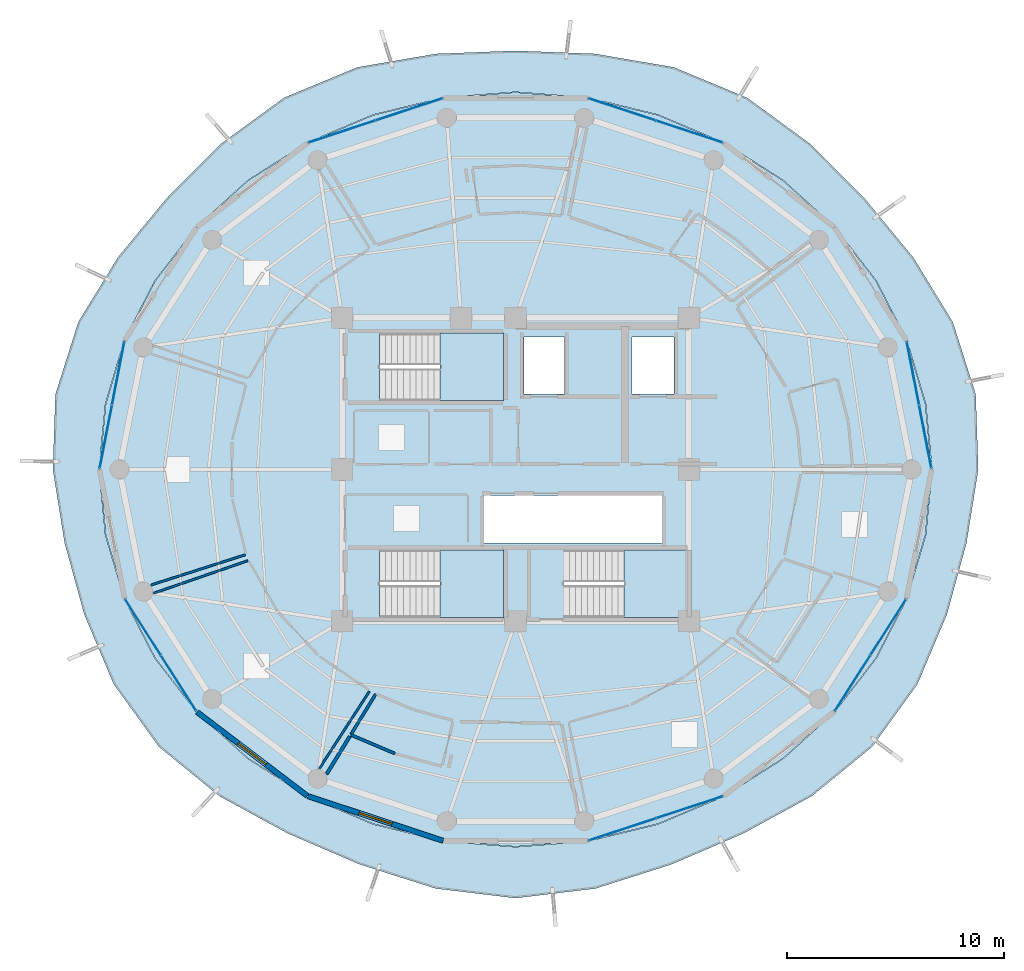
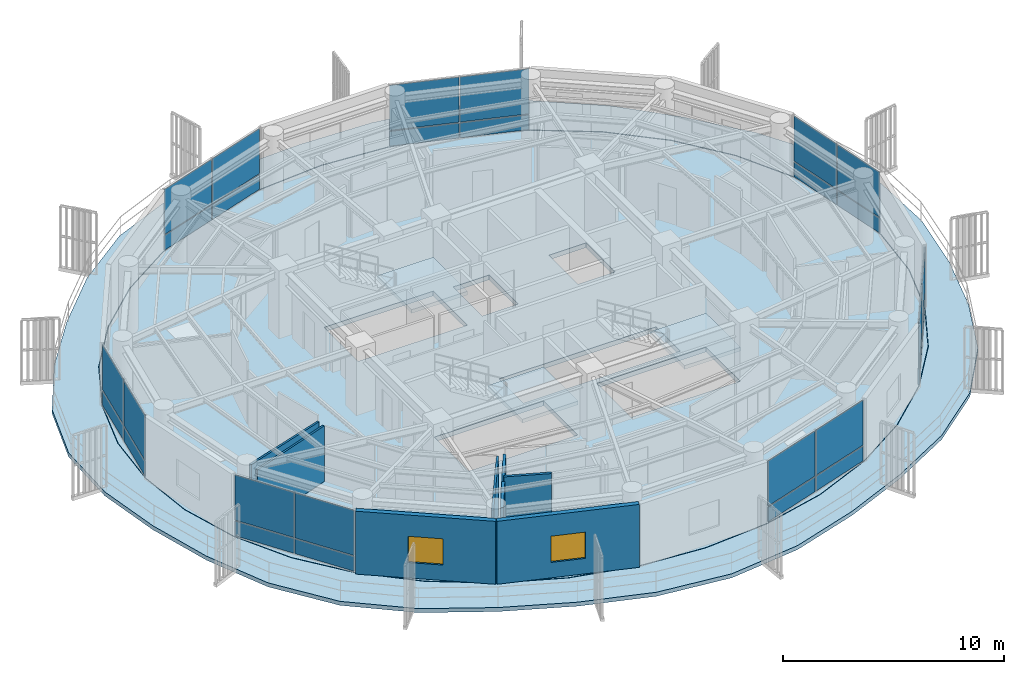
# One storey, part 16 of 24: 28 plates, 8 walls, 5 slabs, 2 windows, 2 openings, 10 elements without a shape of their own.
"""IFC4 building model written with IfcOpenShell, lengths in metres."""

from ifc_helpers import new_model, si_unit, direction, frame, frame_2d, origin, origin_2d, place, context, subcontext, project, spatial, polyline, rectangle, outline, extrude, source, transform, mapped, material, layer, layer_set, type_object, element, fill, aggregate, save


model = new_model("IFC4")

# Units and contexts
model_context = context("Model", 3, precision=1e-05, world=origin(), true_north=direction((0.0, 1.0)))
body_context = subcontext(model_context, "Body", "Model", "MODEL_VIEW")
ifc_project = project(units=[si_unit("LENGTHUNIT", "METRE"), si_unit("AREAUNIT", "SQUARE_METRE"), si_unit("VOLUMEUNIT", "CUBIC_METRE"), si_unit("PLANEANGLEUNIT", "RADIAN"), si_unit("MASSUNIT", "GRAM", prefix="KILO")], contexts=[model_context])

# Site, building, storey
site_placement = place(None, origin())
site = spatial("IfcSite", under=ifc_project, at=site_placement, CompositionType="ELEMENT")
building_placement = place(site_placement, origin())
building = spatial("IfcBuilding", under=site, at=building_placement, Name="Kelanora Arch Commons", CompositionType="ELEMENT")
storey_placement = place(building_placement, frame((0.0, 0.0, 248.699951171875)))
storey = spatial("IfcBuildingStorey", under=building, at=storey_placement, Name="L63", CompositionType="ELEMENT", Elevation=248.699951171875)

# Stair, slab
ifc_material_1 = material(Name="Concrete C40/50", Category="concrete")
stair_type = type_object("IfcStairType", Name="STR-DL-375", PredefinedType="HALF_TURN_STAIR", material=ifc_material_1)
stair_1_placement = place(storey_placement, origin())
stair_1 = element("IfcStair", 1, at=stair_1_placement, inside=storey, type_object=stair_type, Name="L63 ST-T1", PredefinedType="HALF_TURN_STAIR")
ifc_layer_1 = layer(ifc_material_1, 0.199951171875)
ifc_layer_set_1 = layer_set([ifc_layer_1], Name="Concrete C40/50")
slab_type_1 = type_object("IfcSlabType", Name="SLB-STAIR-LND", PredefinedType="LANDING", material=ifc_layer_set_1)
slab_1_placement = place(storey_placement, frame((0.0, 0.0, 1.675048828125)))
slab_1 = element("IfcSlab", 2, at=slab_1_placement, type_object=slab_type_1, Name="ST-T1 landing 1", PredefinedType="LANDING", context=body_context, shape_type="SweptSolid", body=[
    extrude(outline(polyline([(70.52001953125, 61.179931640625), (73.43994140625, 61.179931640625), (73.43994140625, 64.2900390625), (70.52001953125, 64.2900390625), (70.52001953125, 61.179931640625)])), origin(), (0.0, 0.0, 1.0), 0.199951171875),
])
aggregate(stair_1, [slab_1])

stair_2_placement = place(storey_placement, origin())
stair_2 = element("IfcStair", 3, at=stair_2_placement, inside=storey, type_object=stair_type, Name="L63 ST-T2", PredefinedType="HALF_TURN_STAIR")
slab_2_placement = place(storey_placement, frame((0.0, 0.0, 1.675048828125)))
slab_2 = element("IfcSlab", 4, at=slab_2_placement, type_object=slab_type_1, Name="ST-T2 landing 1", PredefinedType="LANDING", context=body_context, shape_type="SweptSolid", body=[
    extrude(outline(polyline([(79.0, 51.179931640625), (81.919921875, 51.179931640625), (81.919921875, 54.2900390625), (79.0, 54.2900390625), (79.0, 51.179931640625)])), origin(), (0.0, 0.0, 1.0), 0.199951171875),
])
aggregate(stair_2, [slab_2])

stair_3_placement = place(storey_placement, origin())
stair_3 = element("IfcStair", 5, at=stair_3_placement, inside=storey, type_object=stair_type, Name="L63 ST-T3", PredefinedType="HALF_TURN_STAIR")
slab_3_placement = place(storey_placement, frame((0.0, 0.0, 1.675048828125)))
slab_3 = element("IfcSlab", 6, at=slab_3_placement, type_object=slab_type_1, Name="ST-T3 landing 1", PredefinedType="LANDING", context=body_context, shape_type="SweptSolid", body=[
    extrude(outline(polyline([(70.52001953125, 51.179931640625), (73.43994140625, 51.179931640625), (73.43994140625, 54.2900390625), (70.52001953125, 54.2900390625), (70.52001953125, 51.179931640625)])), origin(), (0.0, 0.0, 1.0), 0.199951171875),
])
aggregate(stair_3, [slab_3])

# Slabs
ifc_layer_2 = layer(ifc_material_1, 0.260009765625)
ifc_layer_set_2 = layer_set([ifc_layer_2], Name="Concrete C40/50")
slab_type_2 = type_object("IfcSlabType", Name="SLB-TWR-TYP", PredefinedType="FLOOR", material=ifc_layer_set_2)
slab_4_placement = place(storey_placement, frame((0.0, 0.0, -0.260009765625)))
element("IfcSlab", 7, at=slab_4_placement, inside=storey, type_object=slab_type_2, Name="Tower Floor Slab L63", PredefinedType="FLOOR", context=body_context, shape_type="SweptSolid", body=[
    extrude(outline(polyline([(93.199951171875, 58.0), (92.908203125, 61.021484375), (92.0419921875, 63.951171875), (90.627685546875, 66.699951171875), (88.7080078125, 69.1845703125), (86.341552734375, 71.3291015625), (83.60009765625, 73.06884765625), (80.56689453125, 74.3505859375), (77.333984375, 75.1357421875), (74.0, 75.39990234375), (70.666015625, 75.1357421875), (67.43310546875, 74.3505859375), (64.39990234375, 73.06884765625), (61.658447265625, 71.3291015625), (59.2919921875, 69.1845703125), (57.372314453125, 66.699951171875), (55.9580078125, 63.951171875), (55.091796875, 61.021484375), (54.800048828125, 58.0), (55.091796875, 54.978515625), (55.9580078125, 52.048828125), (57.372314453125, 49.300048828125), (59.2919921875, 46.8154296875), (61.658447265625, 44.6708984375), (64.39990234375, 42.93115234375), (67.43310546875, 41.6494140625), (70.666015625, 40.8642578125), (74.0, 40.60009765625), (77.333984375, 40.8642578125), (80.56689453125, 41.6494140625), (83.60009765625, 42.93115234375), (86.341552734375, 44.6708984375), (88.7080078125, 46.8154296875), (90.627685546875, 49.300048828125), (92.0419921875, 52.048828125), (92.908203125, 54.978515625), (93.199951171875, 58.0)]), holes=[polyline([(73.431884765625, 51.18798828125), (67.72802734375, 51.18798828125), (67.72802734375, 54.281982421875), (73.431884765625, 54.281982421875), (73.431884765625, 51.18798828125)]), polyline([(76.2080078125, 51.18798828125), (76.2080078125, 54.281982421875), (81.912109375, 54.281982421875), (81.912109375, 51.18798828125), (76.2080078125, 51.18798828125)]), polyline([(72.550048828125, 54.60009765625), (72.550048828125, 56.800048828125), (80.75, 56.800048828125), (80.75, 54.60009765625), (72.550048828125, 54.60009765625)]), polyline([(73.431884765625, 61.18798828125), (67.72802734375, 61.18798828125), (67.72802734375, 64.281982421875), (73.431884765625, 64.281982421875), (73.431884765625, 61.18798828125)]), polyline([(74.3798828125, 61.47998046875), (74.3798828125, 64.1201171875), (76.260009765625, 64.1201171875), (76.260009765625, 61.47998046875), (74.3798828125, 61.47998046875)]), polyline([(79.3798828125, 61.47998046875), (79.3798828125, 64.1201171875), (81.320068359375, 64.1201171875), (81.320068359375, 61.47998046875), (79.3798828125, 61.47998046875)])]), origin(), (0.0, 0.0, 1.0), 0.260009765625),
])
ifc_layer_3 = layer(ifc_material_1, 0.219970703125)
ifc_layer_set_3 = layer_set([ifc_layer_3], Name="Concrete C40/50")
slab_type_3 = type_object("IfcSlabType", Name="SLB-WAVE-BAL", PredefinedType="FLOOR", material=ifc_layer_set_3)
slab_5_placement = place(storey_placement, frame((0.0, 0.0, -0.219970703125)))
element("IfcSlab", 8, at=slab_5_placement, inside=storey, type_object=slab_type_3, Name="Sinusoidal Wave Balcony Slab L63", PredefinedType="FLOOR", context=body_context, shape_type="SweptSolid", body=[
    extrude(outline(polyline([(95.35009765625, 58.0), (95.23095703125, 61.473388671875), (94.17431640625, 64.8076171875), (92.343994140625, 67.79345703125), (90.119384765625, 70.4912109375), (87.61865234375, 73.0087890625), (84.689208984375, 75.150390625), (81.29541015625, 76.559814453125), (77.660888671875, 77.180908203125), (74.0, 77.320068359375), (70.339111328125, 77.180908203125), (66.70458984375, 76.559814453125), (63.310791015625, 75.150390625), (60.38134765625, 73.0087890625), (57.880615234375, 70.4912109375), (55.656005859375, 67.79345703125), (53.82568359375, 64.8076171875), (52.76904296875, 61.473388671875), (52.64990234375, 58.0), (53.193359375, 54.609130859375), (54.10009765625, 51.302734375), (55.4619140625, 48.0830078125), (57.548095703125, 45.200927734375), (60.3330078125, 42.927490234375), (63.49560546875, 41.20263671875), (66.81494140625, 39.77490234375), (70.314208984375, 38.66357421875), (74.0, 38.219970703125), (77.685791015625, 38.66357421875), (81.18505859375, 39.77490234375), (84.50439453125, 41.20263671875), (87.6669921875, 42.927490234375), (90.451904296875, 45.200927734375), (92.5380859375, 48.0830078125), (93.89990234375, 51.302734375), (94.806640625, 54.609130859375), (95.35009765625, 58.0)]), holes=[polyline([(92.927978515625, 54.97509765625), (92.060791015625, 52.0419921875), (90.64501953125, 49.2900390625), (88.723388671875, 46.802490234375), (86.3544921875, 44.655517578125), (83.610107421875, 42.913818359375), (80.573486328125, 41.630615234375), (77.33740234375, 40.844482421875), (74.0, 40.580078125), (70.66259765625, 40.844482421875), (67.426513671875, 41.630615234375), (64.389892578125, 42.913818359375), (61.6455078125, 44.655517578125), (59.276611328125, 46.802490234375), (57.35498046875, 49.2900390625), (55.939208984375, 52.0419921875), (55.072021484375, 54.97509765625), (54.780029296875, 58.0), (55.072021484375, 61.02490234375), (55.939208984375, 63.9580078125), (57.35498046875, 66.7099609375), (59.276611328125, 69.197509765625), (61.6455078125, 71.344482421875), (64.389892578125, 73.086181640625), (67.426513671875, 74.369384765625), (70.66259765625, 75.155517578125), (74.0, 75.419921875), (77.33740234375, 75.155517578125), (80.573486328125, 74.369384765625), (83.610107421875, 73.086181640625), (86.3544921875, 71.344482421875), (88.723388671875, 69.197509765625), (90.64501953125, 66.7099609375), (92.060791015625, 63.9580078125), (92.927978515625, 61.02490234375), (93.219970703125, 58.0), (92.927978515625, 54.97509765625)])]), origin(), (0.0, 0.0, 1.0), 0.219970703125),
])

# Curtain wall, plates
ifc_material_2 = material(Name="Terracotta ceramic-fritted low-E glass and aluminium", Category="masonry")
ifc_layer_4 = layer(ifc_material_2, 0.18994140625)
ifc_layer_set_4 = layer_set([ifc_layer_4], Name="Terracotta ceramic-fritted low-E glass and aluminium")
curtain_wall_type = type_object("IfcCurtainWallType", Name="CW-SYS-03", PredefinedType="NOTDEFINED", material=ifc_layer_set_4)
curtain_wall_1_placement = place(storey_placement, origin())
curtain_wall_1 = element("IfcCurtainWall", 9, at=curtain_wall_1_placement, inside=storey, type_object=curtain_wall_type, Name="Unitised Curtain Wall L63-B00", PredefinedType="NOTDEFINED")
ifc_material_3 = material(Name="Terracotta ceramic-fritted double glazing", Category="masonry")
ifc_layer_5 = layer(ifc_material_3, 0.028076171875)
ifc_layer_set_5 = layer_set([ifc_layer_5], Name="Terracotta ceramic-fritted double glazing")
plate_type = type_object("IfcPlateType", Name="CWP-FRIT", PredefinedType="CURTAIN_PANEL", material=ifc_layer_set_5)
shared_shape_1 = source(origin(), body_context, "Body", "SweptSolid", [
    extrude(rectangle(XDim=2.926513671875, YDim=0.028076171875, at=origin_2d()), origin(), (0.0, 0.0, 1.0), 0.81005859375),
])
plate_1_placement = place(storey_placement, frame((92.90625, 59.509765625, 0.06005859375), z_axis=(0.0, 0.0, 1.0), x_axis=(-0.190971701941, 0.981595542501, 0.0)))
plate_1 = element("IfcPlate", 10, at=plate_1_placement, type_object=plate_type, Name="CW-03 panel 1.1", PredefinedType="CURTAIN_PANEL", context=body_context, shape_type="MappedRepresentation", body=[
    mapped(shared_shape_1, transform((0.0, 0.0, 0.0), scale=1.0)),
])
plate_2_placement = place(storey_placement, frame((92.3359375, 62.44140625, 0.06005859375), z_axis=(0.0, 0.0, 1.0), x_axis=(-0.190971701941, 0.981595542501, 0.0)))
plate_2 = element("IfcPlate", 11, at=plate_2_placement, type_object=plate_type, Name="CW-03 panel 2.1", PredefinedType="CURTAIN_PANEL", context=body_context, shape_type="MappedRepresentation", body=[
    mapped(shared_shape_1, transform((0.0, 0.0, 0.0), scale=1.0)),
])

curtain_wall_2_placement = place(storey_placement, origin())
curtain_wall_2 = element("IfcCurtainWall", 12, at=curtain_wall_2_placement, inside=storey, type_object=curtain_wall_type, Name="Unitised Curtain Wall L63-B08", PredefinedType="NOTDEFINED")
plate_3_placement = place(storey_placement, frame((55.6640625, 62.44140625, 0.06005859375), z_axis=(0.0, 0.0, 1.0), x_axis=(-0.190971701941, -0.981595542501, 0.0)))
plate_3 = element("IfcPlate", 13, at=plate_3_placement, type_object=plate_type, Name="CW-03 panel 1.1", PredefinedType="CURTAIN_PANEL", context=body_context, shape_type="MappedRepresentation", body=[
    mapped(shared_shape_1, transform((0.0, 0.0, 0.0), scale=1.0)),
])
plate_4_placement = place(storey_placement, frame((55.09375, 59.509765625, 0.06005859375), z_axis=(0.0, 0.0, 1.0), x_axis=(-0.190971701941, -0.981595542501, 0.0)))
plate_4 = element("IfcPlate", 14, at=plate_4_placement, type_object=plate_type, Name="CW-03 panel 2.1", PredefinedType="CURTAIN_PANEL", context=body_context, shape_type="MappedRepresentation", body=[
    mapped(shared_shape_1, transform((0.0, 0.0, 0.0), scale=1.0)),
])

# Plate
shared_shape_2 = source(origin(), body_context, "Body", "SweptSolid", [
    extrude(rectangle(XDim=2.926513671875, YDim=0.028076171875, at=origin_2d()), origin(), (0.0, 0.0, 1.0), 2.485107421875),
])
plate_5_placement = place(storey_placement, frame((92.90625, 59.509765625, 0.93017578125), z_axis=(0.0, 0.0, 1.0), x_axis=(-0.190971701941, 0.981595542501, 0.0)))
plate_5 = element("IfcPlate", 15, at=plate_5_placement, type_object=plate_type, Name="CW-03 panel 1.2", PredefinedType="CURTAIN_PANEL", context=body_context, shape_type="MappedRepresentation", body=[
    mapped(shared_shape_2, transform((0.0, 0.0, 0.0), scale=1.0)),
])

plate_6_placement = place(storey_placement, frame((92.3359375, 62.44140625, 0.93017578125), z_axis=(0.0, 0.0, 1.0), x_axis=(-0.190971701941, 0.981595542501, 0.0)))
plate_6 = element("IfcPlate", 16, at=plate_6_placement, type_object=plate_type, Name="CW-03 panel 2.2", PredefinedType="CURTAIN_PANEL", context=body_context, shape_type="MappedRepresentation", body=[
    mapped(shared_shape_2, transform((0.0, 0.0, 0.0), scale=1.0)),
])

aggregate(curtain_wall_1, [plate_1, plate_5, plate_2, plate_6])

plate_7_placement = place(storey_placement, frame((55.6640625, 62.44140625, 0.93017578125), z_axis=(0.0, 0.0, 1.0), x_axis=(-0.190971701941, -0.981595542501, 0.0)))
plate_7 = element("IfcPlate", 17, at=plate_7_placement, type_object=plate_type, Name="CW-03 panel 1.2", PredefinedType="CURTAIN_PANEL", context=body_context, shape_type="MappedRepresentation", body=[
    mapped(shared_shape_2, transform((0.0, 0.0, 0.0), scale=1.0)),
])

plate_8_placement = place(storey_placement, frame((55.09375, 59.509765625, 0.93017578125), z_axis=(0.0, 0.0, 1.0), x_axis=(-0.190971701941, -0.981595542501, 0.0)))
plate_8 = element("IfcPlate", 18, at=plate_8_placement, type_object=plate_type, Name="CW-03 panel 2.2", PredefinedType="CURTAIN_PANEL", context=body_context, shape_type="MappedRepresentation", body=[
    mapped(shared_shape_2, transform((0.0, 0.0, 0.0), scale=1.0)),
])

aggregate(curtain_wall_2, [plate_3, plate_7, plate_4, plate_8])

# Curtain wall, plates
curtain_wall_3_placement = place(storey_placement, origin())
curtain_wall_3 = element("IfcCurtainWall", 19, at=curtain_wall_3_placement, inside=storey, type_object=curtain_wall_type, Name="Unitised Curtain Wall L63-B03", PredefinedType="NOTDEFINED")
shared_shape_3 = source(origin(), body_context, "Body", "SweptSolid", [
    extrude(rectangle(XDim=3.194091796875, YDim=0.028076171875, at=origin_2d()), origin(), (0.0, 0.0, 1.0), 0.81005859375),
])
plate_9_placement = place(storey_placement, frame((82.01220703125, 73.592529296875, 0.06005859375), z_axis=(0.0, 0.0, 1.0), x_axis=(-0.949669780752, 0.313252785344, 0.0)))
plate_9 = element("IfcPlate", 20, at=plate_9_placement, type_object=plate_type, Name="CW-03 panel 1.1", PredefinedType="CURTAIN_PANEL", context=body_context, shape_type="MappedRepresentation", body=[
    mapped(shared_shape_3, transform((0.0, 0.0, 0.0), scale=1.0)),
])
plate_10_placement = place(storey_placement, frame((78.921875, 74.61181640625, 0.06005859375), z_axis=(0.0, 0.0, 1.0), x_axis=(-0.949669780752, 0.313252785344, 0.0)))
plate_10 = element("IfcPlate", 21, at=plate_10_placement, type_object=plate_type, Name="CW-03 panel 2.1", PredefinedType="CURTAIN_PANEL", context=body_context, shape_type="MappedRepresentation", body=[
    mapped(shared_shape_3, transform((0.0, 0.0, 0.0), scale=1.0)),
])

curtain_wall_4_placement = place(storey_placement, origin())
curtain_wall_4 = element("IfcCurtainWall", 22, at=curtain_wall_4_placement, inside=storey, type_object=curtain_wall_type, Name="Unitised Curtain Wall L63-B05", PredefinedType="NOTDEFINED")
plate_11_placement = place(storey_placement, frame((69.078125, 74.61181640625, 0.06005859375), z_axis=(0.0, 0.0, 1.0), x_axis=(-0.949669780752, -0.313252785344, 0.0)))
plate_11 = element("IfcPlate", 23, at=plate_11_placement, type_object=plate_type, Name="CW-03 panel 1.1", PredefinedType="CURTAIN_PANEL", context=body_context, shape_type="MappedRepresentation", body=[
    mapped(shared_shape_3, transform((0.0, 0.0, 0.0), scale=1.0)),
])
plate_12_placement = place(storey_placement, frame((65.98779296875, 73.592529296875, 0.06005859375), z_axis=(0.0, 0.0, 1.0), x_axis=(-0.949669780752, -0.313252785344, 0.0)))
plate_12 = element("IfcPlate", 24, at=plate_12_placement, type_object=plate_type, Name="CW-03 panel 2.1", PredefinedType="CURTAIN_PANEL", context=body_context, shape_type="MappedRepresentation", body=[
    mapped(shared_shape_3, transform((0.0, 0.0, 0.0), scale=1.0)),
])

curtain_wall_5_placement = place(storey_placement, origin())
curtain_wall_5 = element("IfcCurtainWall", 25, at=curtain_wall_5_placement, inside=storey, type_object=curtain_wall_type, Name="Unitised Curtain Wall L63-B14", PredefinedType="NOTDEFINED")
plate_13_placement = place(storey_placement, frame((78.921875, 41.38818359375, 0.06005859375), z_axis=(0.0, 0.0, 1.0), x_axis=(0.949669780752, 0.313252785344, 0.0)))
plate_13 = element("IfcPlate", 26, at=plate_13_placement, type_object=plate_type, Name="CW-03 panel 1.1", PredefinedType="CURTAIN_PANEL", context=body_context, shape_type="MappedRepresentation", body=[
    mapped(shared_shape_3, transform((0.0, 0.0, 0.0), scale=1.0)),
])
plate_14_placement = place(storey_placement, frame((82.01220703125, 42.407470703125, 0.06005859375), z_axis=(0.0, 0.0, 1.0), x_axis=(0.949669780752, 0.313252785344, 0.0)))
plate_14 = element("IfcPlate", 27, at=plate_14_placement, type_object=plate_type, Name="CW-03 panel 2.1", PredefinedType="CURTAIN_PANEL", context=body_context, shape_type="MappedRepresentation", body=[
    mapped(shared_shape_3, transform((0.0, 0.0, 0.0), scale=1.0)),
])

# Plate
shared_shape_4 = source(origin(), body_context, "Body", "SweptSolid", [
    extrude(rectangle(XDim=3.194091796875, YDim=0.028076171875, at=origin_2d()), origin(), (0.0, 0.0, 1.0), 2.485107421875),
])
plate_15_placement = place(storey_placement, frame((82.01220703125, 73.592529296875, 0.93017578125), z_axis=(0.0, 0.0, 1.0), x_axis=(-0.949669780752, 0.313252785344, 0.0)))
plate_15 = element("IfcPlate", 28, at=plate_15_placement, type_object=plate_type, Name="CW-03 panel 1.2", PredefinedType="CURTAIN_PANEL", context=body_context, shape_type="MappedRepresentation", body=[
    mapped(shared_shape_4, transform((0.0, 0.0, 0.0), scale=1.0)),
])

plate_16_placement = place(storey_placement, frame((78.921875, 74.61181640625, 0.93017578125), z_axis=(0.0, 0.0, 1.0), x_axis=(-0.949669780752, 0.313252785344, 0.0)))
plate_16 = element("IfcPlate", 29, at=plate_16_placement, type_object=plate_type, Name="CW-03 panel 2.2", PredefinedType="CURTAIN_PANEL", context=body_context, shape_type="MappedRepresentation", body=[
    mapped(shared_shape_4, transform((0.0, 0.0, 0.0), scale=1.0)),
])

aggregate(curtain_wall_3, [plate_9, plate_15, plate_10, plate_16])

plate_17_placement = place(storey_placement, frame((69.078125, 74.61181640625, 0.93017578125), z_axis=(0.0, 0.0, 1.0), x_axis=(-0.949669780752, -0.313252785344, 0.0)))
plate_17 = element("IfcPlate", 30, at=plate_17_placement, type_object=plate_type, Name="CW-03 panel 1.2", PredefinedType="CURTAIN_PANEL", context=body_context, shape_type="MappedRepresentation", body=[
    mapped(shared_shape_4, transform((0.0, 0.0, 0.0), scale=1.0)),
])

plate_18_placement = place(storey_placement, frame((65.98779296875, 73.592529296875, 0.93017578125), z_axis=(0.0, 0.0, 1.0), x_axis=(-0.949669780752, -0.313252785344, 0.0)))
plate_18 = element("IfcPlate", 31, at=plate_18_placement, type_object=plate_type, Name="CW-03 panel 2.2", PredefinedType="CURTAIN_PANEL", context=body_context, shape_type="MappedRepresentation", body=[
    mapped(shared_shape_4, transform((0.0, 0.0, 0.0), scale=1.0)),
])

aggregate(curtain_wall_4, [plate_11, plate_17, plate_12, plate_18])

plate_19_placement = place(storey_placement, frame((78.921875, 41.38818359375, 0.93017578125), z_axis=(0.0, 0.0, 1.0), x_axis=(0.949669780752, 0.313252785344, 0.0)))
plate_19 = element("IfcPlate", 32, at=plate_19_placement, type_object=plate_type, Name="CW-03 panel 1.2", PredefinedType="CURTAIN_PANEL", context=body_context, shape_type="MappedRepresentation", body=[
    mapped(shared_shape_4, transform((0.0, 0.0, 0.0), scale=1.0)),
])

plate_20_placement = place(storey_placement, frame((82.01220703125, 42.407470703125, 0.93017578125), z_axis=(0.0, 0.0, 1.0), x_axis=(0.949669780752, 0.313252785344, 0.0)))
plate_20 = element("IfcPlate", 33, at=plate_20_placement, type_object=plate_type, Name="CW-03 panel 2.2", PredefinedType="CURTAIN_PANEL", context=body_context, shape_type="MappedRepresentation", body=[
    mapped(shared_shape_4, transform((0.0, 0.0, 0.0), scale=1.0)),
])

aggregate(curtain_wall_5, [plate_13, plate_19, plate_14, plate_20])

# Curtain wall, plates
curtain_wall_6_placement = place(storey_placement, origin())
curtain_wall_6 = element("IfcCurtainWall", 34, at=curtain_wall_6_placement, inside=storey, type_object=curtain_wall_type, Name="Unitised Curtain Wall L63-B10", PredefinedType="NOTDEFINED")
shared_shape_5 = source(origin(), body_context, "Body", "SweptSolid", [
    extrude(rectangle(XDim=2.99755859375, YDim=0.028076171875, at=origin_2d()), origin(), (0.0, 0.0, 1.0), 0.81005859375),
])
plate_21_placement = place(storey_placement, frame((56.803466796875, 50.721435546875, 0.06005859375), z_axis=(0.0, 0.0, 1.0), x_axis=(0.537299814397, -0.843391314545, 0.0)))
plate_21 = element("IfcPlate", 35, at=plate_21_placement, type_object=plate_type, Name="CW-03 panel 1.1", PredefinedType="CURTAIN_PANEL", context=body_context, shape_type="MappedRepresentation", body=[
    mapped(shared_shape_5, transform((0.0, 0.0, 0.0), scale=1.0)),
])
plate_22_placement = place(storey_placement, frame((58.4462890625, 48.142822265625, 0.06005859375), z_axis=(0.0, 0.0, 1.0), x_axis=(0.537299814397, -0.843391314545, 0.0)))
plate_22 = element("IfcPlate", 36, at=plate_22_placement, type_object=plate_type, Name="CW-03 panel 2.1", PredefinedType="CURTAIN_PANEL", context=body_context, shape_type="MappedRepresentation", body=[
    mapped(shared_shape_5, transform((0.0, 0.0, 0.0), scale=1.0)),
])

curtain_wall_7_placement = place(storey_placement, origin())
curtain_wall_7 = element("IfcCurtainWall", 37, at=curtain_wall_7_placement, inside=storey, type_object=curtain_wall_type, Name="Unitised Curtain Wall L63-B16", PredefinedType="NOTDEFINED")
plate_23_placement = place(storey_placement, frame((89.5537109375, 48.142822265625, 0.06005859375), z_axis=(0.0, 0.0, 1.0), x_axis=(0.537299814397, 0.843391314545, 0.0)))
plate_23 = element("IfcPlate", 38, at=plate_23_placement, type_object=plate_type, Name="CW-03 panel 1.1", PredefinedType="CURTAIN_PANEL", context=body_context, shape_type="MappedRepresentation", body=[
    mapped(shared_shape_5, transform((0.0, 0.0, 0.0), scale=1.0)),
])
plate_24_placement = place(storey_placement, frame((91.196533203125, 50.721435546875, 0.06005859375), z_axis=(0.0, 0.0, 1.0), x_axis=(0.537299814397, 0.843391314545, 0.0)))
plate_24 = element("IfcPlate", 39, at=plate_24_placement, type_object=plate_type, Name="CW-03 panel 2.1", PredefinedType="CURTAIN_PANEL", context=body_context, shape_type="MappedRepresentation", body=[
    mapped(shared_shape_5, transform((0.0, 0.0, 0.0), scale=1.0)),
])

# Plate
shared_shape_6 = source(origin(), body_context, "Body", "SweptSolid", [
    extrude(rectangle(XDim=2.99755859375, YDim=0.028076171875, at=origin_2d()), origin(), (0.0, 0.0, 1.0), 2.485107421875),
])
plate_25_placement = place(storey_placement, frame((56.803466796875, 50.721435546875, 0.93017578125), z_axis=(0.0, 0.0, 1.0), x_axis=(0.537299814397, -0.843391314545, 0.0)))
plate_25 = element("IfcPlate", 40, at=plate_25_placement, type_object=plate_type, Name="CW-03 panel 1.2", PredefinedType="CURTAIN_PANEL", context=body_context, shape_type="MappedRepresentation", body=[
    mapped(shared_shape_6, transform((0.0, 0.0, 0.0), scale=1.0)),
])

plate_26_placement = place(storey_placement, frame((58.4462890625, 48.142822265625, 0.93017578125), z_axis=(0.0, 0.0, 1.0), x_axis=(0.537299814397, -0.843391314545, 0.0)))
plate_26 = element("IfcPlate", 41, at=plate_26_placement, type_object=plate_type, Name="CW-03 panel 2.2", PredefinedType="CURTAIN_PANEL", context=body_context, shape_type="MappedRepresentation", body=[
    mapped(shared_shape_6, transform((0.0, 0.0, 0.0), scale=1.0)),
])

aggregate(curtain_wall_6, [plate_21, plate_25, plate_22, plate_26])

plate_27_placement = place(storey_placement, frame((89.5537109375, 48.142822265625, 0.93017578125), z_axis=(0.0, 0.0, 1.0), x_axis=(0.537299814397, 0.843391314545, 0.0)))
plate_27 = element("IfcPlate", 42, at=plate_27_placement, type_object=plate_type, Name="CW-03 panel 1.2", PredefinedType="CURTAIN_PANEL", context=body_context, shape_type="MappedRepresentation", body=[
    mapped(shared_shape_6, transform((0.0, 0.0, 0.0), scale=1.0)),
])

plate_28_placement = place(storey_placement, frame((91.196533203125, 50.721435546875, 0.93017578125), z_axis=(0.0, 0.0, 1.0), x_axis=(0.537299814397, 0.843391314545, 0.0)))
plate_28 = element("IfcPlate", 43, at=plate_28_placement, type_object=plate_type, Name="CW-03 panel 2.2", PredefinedType="CURTAIN_PANEL", context=body_context, shape_type="MappedRepresentation", body=[
    mapped(shared_shape_6, transform((0.0, 0.0, 0.0), scale=1.0)),
])

aggregate(curtain_wall_7, [plate_23, plate_27, plate_24, plate_28])

# Wall
ifc_material_4 = material(Name="Autoclaved aerated concrete blockwork with fire plaster", Category="masonry")
ifc_layer_6 = layer(ifc_material_4, 0.14990234375)
ifc_layer_set_6 = layer_set([ifc_layer_6], Name="Autoclaved aerated concrete blockwork with fire plaster")
wall_type_1 = type_object("IfcWallType", Name="W-COMP-150", PredefinedType="PARTITIONING", material=ifc_layer_set_6)
wall_1_placement = place(storey_placement, frame((65.282958984375, 43.944091796875, 0.0), z_axis=(0.0, 0.0, 1.0), x_axis=(0.522864415557, 0.852415862677, 0.0)))
element("IfcWall", 44, at=wall_1_placement, inside=storey, type_object=wall_type_1, Name="Co-Living Studio L63-07 Enclosure Partition 5", PredefinedType="PARTITIONING", context=body_context, shape_type="SweptSolid", body=[
    extrude(rectangle(XDim=2.044677734375, YDim=0.14990234375, at=frame_2d((1.0224609375, 0.0))), origin(), (0.0, 0.0, 1.0), 3.235107421875),
])

# Wall, opening, window
ifc_material_5 = material(Name="Precast concrete C40/50 upper-zone terracotta rainscreen", Category="masonry")
ifc_layer_7 = layer(ifc_material_5, 0.239990234375)
ifc_layer_set_7 = layer_set([ifc_layer_7], Name="Precast concrete C40/50 upper-zone terracotta rainscreen")
wall_type_2 = type_object("IfcWallType", Name="W-EXT-TC2", PredefinedType="SOLIDWALL", material=ifc_layer_set_7)
wall_2_placement = place(storey_placement, frame((59.3037109375, 46.806396484375, 0.0), z_axis=(0.0, 0.0, 1.0), x_axis=(0.796010444211, -0.605282886514, 0.0)))
wall_2 = element("IfcWall", 45, at=wall_2_placement, inside=storey, type_object=wall_type_2, Name="Terracotta Exterior Wall L63-B11", PredefinedType="SOLIDWALL", context=body_context, shape_type="SweptSolid", body=[
    extrude(rectangle(XDim=6.387451171875, YDim=0.239990234375, at=frame_2d((3.19384765625, 0.0))), origin(), (0.0, 0.0, 1.0), 3.47509765625),
])
opening_1_placement = place(wall_2_placement, frame((2.39404296875, 0.0, 0.85009765625)))
opening_1 = element("IfcOpeningElement", 46, at=opening_1_placement, cuts=wall_2, Name="Opening WN-01", PredefinedType="OPENING", context=body_context, shape_type="SweptSolid", body=[
    extrude(rectangle(XDim=1.60009765625, YDim=1.449951171875, at=frame_2d((0.800048828125, 0.72509765625))), frame((0.0, 0.1298828125, 0.0), z_axis=(0.0, -1.0, 0.0), x_axis=(1.0, 0.0, 0.0)), (0.0, 0.0, 1.0), 0.260009765625),
])
ifc_material_6 = material(Name="Terracotta-anodised aluminium frame with operable low-E glazing", Category="masonry")
window_type = type_object("IfcWindowType", Name="WIN-CL-18", PartitioningType="DOUBLE_PANEL_VERTICAL", PredefinedType="WINDOW", material=ifc_material_6)
window_1_placement = place(opening_1_placement, origin())
window_1 = element("IfcWindow", 47, at=window_1_placement, inside=storey, type_object=window_type, Name="Co-Living Operable Window L63-B11", OverallHeight=1.449951171875, OverallWidth=1.60009765625, PartitioningType="SINGLE_PANEL", PredefinedType="WINDOW", context=body_context, shape_type="SweptSolid", body=[
    extrude(rectangle(XDim=1.60009765625, YDim=1.449951171875, at=frame_2d((0.800048828125, 0.72509765625))), frame((0.0, 0.030029296875, 0.0), z_axis=(0.0, -1.0, 0.0), x_axis=(1.0, 0.0, 0.0)), (0.0, 0.0, 1.0), 0.06005859375),
])
fill(opening_1, window_1)

wall_3_placement = place(storey_placement, frame((64.414306640625, 42.926513671875, 0.0), z_axis=(0.0, 0.0, 1.0), x_axis=(0.949663708393, -0.313271193954, 0.0)))
wall_3 = element("IfcWall", 48, at=wall_3_placement, inside=storey, type_object=wall_type_2, Name="Terracotta Exterior Wall L63-B12", PredefinedType="SOLIDWALL", context=body_context, shape_type="SweptSolid", body=[
    extrude(rectangle(XDim=6.568115234375, YDim=0.239990234375, at=frame_2d((3.2841796875, 0.0))), origin(), (0.0, 0.0, 1.0), 3.47509765625),
])
opening_2_placement = place(wall_3_placement, frame((2.48388671875, 0.0, 0.85009765625)))
opening_2 = element("IfcOpeningElement", 49, at=opening_2_placement, cuts=wall_3, Name="Opening WN-01", PredefinedType="OPENING", context=body_context, shape_type="SweptSolid", body=[
    extrude(rectangle(XDim=1.60009765625, YDim=1.449951171875, at=frame_2d((0.800048828125, 0.72509765625))), frame((0.0, 0.1298828125, 0.0), z_axis=(0.0, -1.0, 0.0), x_axis=(1.0, 0.0, 0.0)), (0.0, 0.0, 1.0), 0.260009765625),
])
window_2_placement = place(opening_2_placement, origin())
window_2 = element("IfcWindow", 50, at=window_2_placement, inside=storey, type_object=window_type, Name="Co-Living Operable Window L63-B12", OverallHeight=1.449951171875, OverallWidth=1.60009765625, PartitioningType="SINGLE_PANEL", PredefinedType="WINDOW", context=body_context, shape_type="SweptSolid", body=[
    extrude(rectangle(XDim=1.60009765625, YDim=1.449951171875, at=frame_2d((0.800048828125, 0.72509765625))), frame((0.0, 0.030029296875, 0.0), z_axis=(0.0, -1.0, 0.0), x_axis=(1.0, 0.0, 0.0)), (0.0, 0.0, 1.0), 0.06005859375),
])
fill(opening_2, window_2)

# Walls
ifc_material_7 = material(Name="Lightweight fire-rated acoustic stud partition")
ifc_layer_8 = layer(ifc_material_7, 0.10009765625)
ifc_layer_set_8 = layer_set([ifc_layer_8], Name="Lightweight fire-rated acoustic stud partition")
wall_type_3 = type_object("IfcWallType", Name="W-PART-100", PredefinedType="PARTITIONING", material=ifc_layer_set_8)
wall_4_placement = place(storey_placement, frame((61.531982421875, 54.064697265625, 0.0), z_axis=(0.0, 0.0, 1.0), x_axis=(-0.95227750557, -0.305233602976, 0.0)))
element("IfcWall", 51, at=wall_4_placement, inside=storey, type_object=wall_type_3, Name="Social Sky Lounge L63-05 Enclosure Partition 4", PredefinedType="PARTITIONING", context=body_context, shape_type="SweptSolid", body=[
    extrude(rectangle(XDim=4.5654296875, YDim=0.10009765625, at=frame_2d((2.28271484375, 0.0))), origin(), (0.0, 0.0, 1.0), 3.175048828125),
])
wall_5_placement = place(storey_placement, frame((67.254150390625, 47.760498046875, 0.0), z_axis=(0.0, 0.0, 1.0), x_axis=(-0.544234825024, -0.838932926539, 0.0)))
element("IfcWall", 52, at=wall_5_placement, inside=storey, type_object=wall_type_3, Name="Quiet Seminar Study Room L63-06 Enclosure Partition 4", PredefinedType="PARTITIONING", context=body_context, shape_type="SweptSolid", body=[
    extrude(rectangle(XDim=4.2490234375, YDim=0.10009765625, at=frame_2d((2.12451171875, 0.0))), origin(), (0.0, 0.0, 1.0), 3.074951171875),
])
wall_6_placement = place(storey_placement, frame((57.291015625, 52.28662109375, 0.0), z_axis=(0.0, 0.0, 1.0), x_axis=(0.945103281494, 0.326771766388, 0.0)))
element("IfcWall", 53, at=wall_6_placement, inside=storey, type_object=wall_type_3, Name="Quiet Seminar Study Room L63-06 Enclosure Partition 8", PredefinedType="PARTITIONING", context=body_context, shape_type="SweptSolid", body=[
    extrude(rectangle(XDim=4.603759765625, YDim=0.10009765625, at=frame_2d((2.3017578125, 0.0))), origin(), (0.0, 0.0, 1.0), 3.074951171875),
])
ifc_material_8 = material(Name="Moisture-resistant fire-rated cement-board plumbing wall")
ifc_layer_9 = layer(ifc_material_8, 0.1298828125)
ifc_layer_set_9 = layer_set([ifc_layer_9], Name="Moisture-resistant fire-rated cement-board plumbing wall")
wall_type_4 = type_object("IfcWallType", Name="W-WET-120", PredefinedType="PLUMBINGWALL", material=ifc_layer_set_9)
wall_7_placement = place(storey_placement, frame((68.421630859375, 44.896728515625, 0.0), z_axis=(0.0, 0.0, 1.0), x_axis=(-0.920791207069, 0.390055833162, 0.0)))
element("IfcWall", 54, at=wall_7_placement, inside=storey, type_object=wall_type_4, Name="En-Suite Shower WC L63-07 Enclosure Partition 5", PredefinedType="PLUMBINGWALL", context=body_context, shape_type="SweptSolid", body=[
    extrude(rectangle(XDim=2.18310546875, YDim=0.1298828125, at=frame_2d((1.091552734375, 0.0))), origin(), (0.0, 0.0, 1.0), 3.47998046875),
])
wall_8_placement = place(storey_placement, frame((66.403564453125, 45.77294921875, 0.0), z_axis=(0.0, 0.0, 1.0), x_axis=(0.523029155304, 0.85231479085, 0.0)))
element("IfcWall", 55, at=wall_8_placement, inside=storey, type_object=wall_type_4, Name="En-Suite Shower WC L63-07 Enclosure Partition 6", PredefinedType="PLUMBINGWALL", context=body_context, shape_type="SweptSolid", body=[
    extrude(rectangle(XDim=2.18115234375, YDim=0.1298828125, at=frame_2d((1.090576171875, 0.0))), origin(), (0.0, 0.0, 1.0), 3.175048828125),
])

save(model, "model.ifc")
